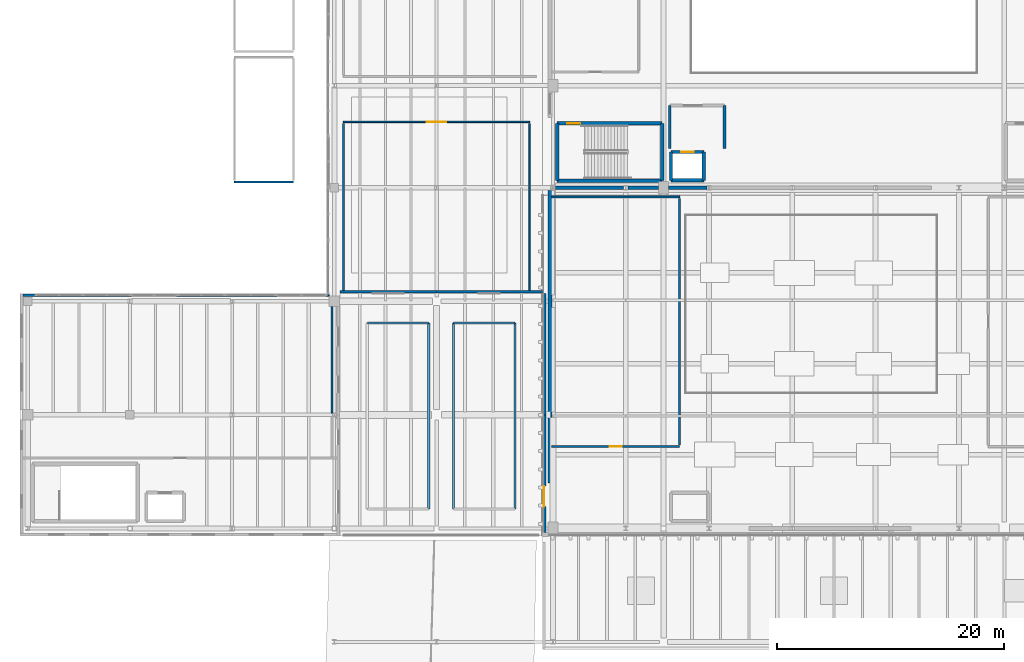
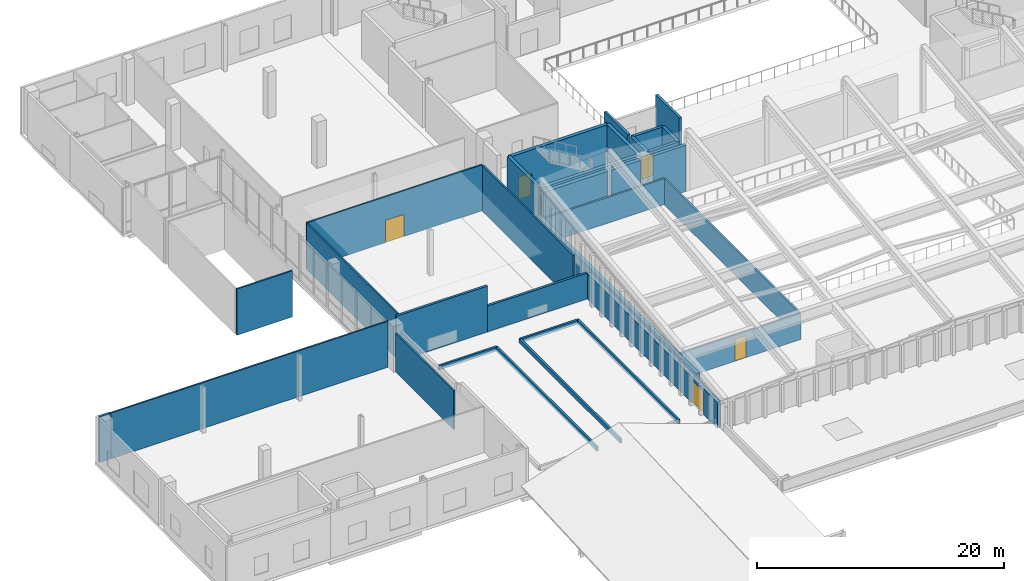
# One storey, part 19 of 30: 33 walls, 5 doors, 5 openings.
"""IFC4 building model written with IfcOpenShell, lengths in metres."""

from ifc_helpers import new_model, si_unit, direction, frame, frame_2d, origin, place, context, subcontext, project, spatial, rectangle, extrude, material, layer, layer_set, type_object, element, fill, save


model = new_model("IFC4")

# Units and contexts
model_context = context("Model", 3, precision=1e-05, world=origin(), true_north=direction((0.0, 1.0)))
body_context = subcontext(model_context, "Body", "Model", "MODEL_VIEW")
ifc_project = project(units=[si_unit("LENGTHUNIT", "METRE"), si_unit("AREAUNIT", "SQUARE_METRE"), si_unit("VOLUMEUNIT", "CUBIC_METRE"), si_unit("PLANEANGLEUNIT", "RADIAN"), si_unit("MASSUNIT", "GRAM", prefix="KILO")], contexts=[model_context])

# Site, building, storey
site_placement = place(None, origin())
site = spatial("IfcSite", under=ifc_project, at=site_placement, CompositionType="ELEMENT")
building_placement = place(site_placement, origin())
building = spatial("IfcBuilding", under=site, at=building_placement, Name="Trimount Lyric Opera House", CompositionType="ELEMENT")
storey_placement = place(building_placement, frame((0.0, 0.0, 24.800048828125)))
storey = spatial("IfcBuildingStorey", under=building, at=storey_placement, Name="L05", CompositionType="ELEMENT", Elevation=24.800048828125)

# Walls
ifc_material_1 = material(Name="Precast concrete C40/50", Category="concrete")
ifc_layer_1 = layer(ifc_material_1, 0.18994140625)
ifc_layer_set_1 = layer_set([ifc_layer_1], Name="WL-PA190")
wall_type_1 = type_object("IfcWallType", Name="WL-PA190", PredefinedType="PARAPET", material=ifc_layer_set_1)
wall_1_placement = place(storey_placement, frame((53.31005859375, 72.080078125, 0.0), z_axis=(0.0, 0.0, 1.0), x_axis=(-1.0, 0.0, 0.0)))
element("IfcWall", 1, at=wall_1_placement, inside=storey, type_object=wall_type_1, Name="West Rehearsal Roof Garden stone planter kerb 1N", PredefinedType="PARAPET", context=body_context, shape_type="SweptSolid", body=[
    extrude(rectangle(XDim=5.41015625, YDim=0.18994140625, at=frame_2d((2.705078125, 0.0))), origin(), (0.0, 0.0, 1.0), 0.419921875),
])
wall_2_placement = place(storey_placement, frame((53.31005859375, 55.719970703125, 0.0), z_axis=(0.0, 0.0, 1.0), x_axis=(0.0, 1.0, 0.0)))
element("IfcWall", 2, at=wall_2_placement, inside=storey, type_object=wall_type_1, Name="West Rehearsal Roof Garden stone planter kerb 1E", PredefinedType="PARAPET", context=body_context, shape_type="SweptSolid", body=[
    extrude(rectangle(XDim=16.360107421875, YDim=0.18994140625, at=frame_2d((8.18017578125, 0.0))), origin(), (0.0, 0.0, 1.0), 0.419921875),
])
wall_3_placement = place(storey_placement, frame((60.919921875, 72.080078125, 0.0), z_axis=(0.0, 0.0, 1.0), x_axis=(-1.0, 0.0, 0.0)))
element("IfcWall", 3, at=wall_3_placement, inside=storey, type_object=wall_type_1, Name="West Rehearsal Roof Garden stone planter kerb 2N", PredefinedType="PARAPET", context=body_context, shape_type="SweptSolid", body=[
    extrude(rectangle(XDim=5.409912109375, YDim=0.18994140625, at=frame_2d((2.705078125, 0.0))), origin(), (0.0, 0.0, 1.0), 0.419921875),
])
for number, where, z_axis, x_axis, name in (
    (4, (55.510009765625, 72.080078125, 0.0), (0.0, 0.0, 1.0), (0.0, -1.0, 0.0), "West Rehearsal Roof Garden stone planter kerb 2W"),
    (5, (60.919921875, 55.719970703125, 0.0), (0.0, 0.0, 1.0), (0.0, 1.0, 0.0), "West Rehearsal Roof Garden stone planter kerb 2E"),
):
    element("IfcWall", number, at=place(storey_placement, frame(where, z_axis=z_axis, x_axis=x_axis)), inside=storey, type_object=wall_type_1, Name=name, PredefinedType="PARAPET", context=body_context, shape_type="SweptSolid", body=[
        extrude(rectangle(XDim=16.360107421875, YDim=0.18994140625, at=frame_2d((8.18017578125, 0.0))), origin(), (0.0, 0.0, 1.0), 0.419921875),
    ])

# Wall, opening, door
ifc_material_2 = material(Name="Fire-Rated Gypsum Board Partition")
ifc_layer_2 = layer(ifc_material_2, 0.14990234375)
ifc_layer_set_2 = layer_set([ifc_layer_2], Name="WL-PT150")
wall_type_2 = type_object("IfcWallType", Name="WL-PT150", PredefinedType="PARTITIONING", material=ifc_layer_set_2)
wall_4_placement = place(storey_placement, frame((62.199951171875, 89.800048828125, 0.0), z_axis=(0.0, 0.0, 1.0), x_axis=(-1.0, 0.0, 0.0)))
wall_4 = element("IfcWall", 6, at=wall_4_placement, inside=storey, type_object=wall_type_2, Name="L05 Performer Canteen & Green Room N partition", PredefinedType="PARTITIONING", context=body_context, shape_type="SweptSolid", body=[
    extrude(rectangle(XDim=16.39990234375, YDim=0.14990234375, at=frame_2d((8.199951171875, 0.0))), origin(), (0.0, 0.0, 1.0), 4.530029296875),
])
opening_1_placement = place(wall_4_placement, frame((7.324951171875, 0.0, 0.0)))
opening_1 = element("IfcOpeningElement", 7, at=opening_1_placement, cuts=wall_4, Name="Opening DT-COR1", PredefinedType="OPENING", context=body_context, shape_type="SweptSolid", body=[
    extrude(rectangle(XDim=1.75, YDim=2.199951171875, at=frame_2d((0.875, 1.10009765625))), frame((0.0, 0.0849609375, 0.0), z_axis=(0.0, -1.0, 0.0), x_axis=(1.0, 0.0, 0.0)), (0.0, 0.0, 1.0), 0.169921875),
])
ifc_material_3 = material(Name="Fire-Rated Timber Veneer", Category="wood")
door_type_1 = type_object("IfcDoorType", Name="DT-COR1", OperationType="DOUBLE_DOOR_SINGLE_SWING", PredefinedType="DOOR", material=ifc_material_3)
door_1_placement = place(opening_1_placement, origin())
door_1 = element("IfcDoor", 8, at=door_1_placement, inside=storey, type_object=door_type_1, Name="D-242", OperationType="DOUBLE_DOOR_SINGLE_SWING", OverallHeight=2.199951171875, OverallWidth=1.75, PredefinedType="DOOR", context=body_context, shape_type="SweptSolid", body=[
    extrude(rectangle(XDim=1.75, YDim=2.199951171875, at=frame_2d((0.875, 1.10009765625))), frame((0.0, 0.02490234375, 0.0), z_axis=(0.0, -1.0, 0.0), x_axis=(1.0, 0.0, 0.0)), (0.0, 0.0, 1.0), 0.050048828125),
])
fill(opening_1, door_1)

# Walls
for number, where, z_axis, x_axis, name in (
    (9, (45.800048828125, 89.64990234375, 0.0), (0.0, 0.0, 1.0), (0.0, -1.0, 0.0), "L05 Performer Canteen & Green Room W partition"),
    (10, (62.199951171875, 74.9599609375, 0.0), (0.0, 0.0, 1.0), (0.0, 1.0, 0.0), "L05 Performer Canteen & Green Room E partition"),
):
    element("IfcWall", number, at=place(storey_placement, frame(where, z_axis=z_axis, x_axis=x_axis)), inside=storey, type_object=wall_type_2, Name=name, PredefinedType="PARTITIONING", context=body_context, shape_type="SweptSolid", body=[
        extrude(rectangle(XDim=14.68994140625, YDim=0.14990234375, at=frame_2d((7.344970703125, 0.0))), origin(), (0.0, 0.0, 1.0), 4.530029296875),
    ])
wall_5_placement = place(storey_placement, frame((44.550048828125, 74.5, 0.0), z_axis=(0.0, 0.0, 1.0), x_axis=(-1.0, 0.0, 0.0)))
element("IfcWall", 11, at=wall_5_placement, inside=storey, type_object=wall_type_2, Name="L05 Principal Wardrobe Fitting Loft N partition", PredefinedType="PARTITIONING", context=body_context, shape_type="SweptSolid", body=[
    extrude(rectangle(XDim=25.8701171875, YDim=0.14990234375, at=frame_2d((12.93505859375, 0.0))), origin(), (0.0, 0.0, 1.0), 4.530029296875),
])
wall_6_placement = place(storey_placement, frame((44.800048828125, 64.153564453125, 0.0), z_axis=(0.0, 0.0, 1.0), x_axis=(0.0, 1.0, 0.0)))
element("IfcWall", 12, at=wall_6_placement, inside=storey, type_object=wall_type_2, Name="L05 Principal Wardrobe Fitting Loft E partition", PredefinedType="PARTITIONING", context=body_context, shape_type="SweptSolid", body=[
    extrude(rectangle(XDim=9.396484375, YDim=0.14990234375, at=frame_2d((4.6982421875, 0.0))), origin(), (0.0, 0.0, 1.0), 3.820068359375),
])
wall_7_placement = place(storey_placement, frame((36.199951171875, 84.5, 0.0), z_axis=(0.0, 0.0, 1.0), x_axis=(1.0, 0.0, 0.0)))
element("IfcWall", 13, at=wall_7_placement, inside=storey, type_object=wall_type_2, Name="L05 West Wing Artists' Pantry S partition", PredefinedType="PARTITIONING", context=body_context, shape_type="SweptSolid", body=[
    extrude(rectangle(XDim=5.199951171875, YDim=0.14990234375, at=frame_2d((2.60009765625, 0.0))), origin(), (0.0, 0.0, 1.0), 4.56005859375),
])

# Wall, opening, door
ifc_material_4 = material(Name="Acoustic Double-Stud Gypsum Board")
ifc_layer_3 = layer(ifc_material_4, 0.1650390625)
ifc_layer_set_3 = layer_set([ifc_layer_3], Name="WL-PT165")
wall_type_3 = type_object("IfcWallType", Name="WL-PT165", PredefinedType="PARTITIONING", material=ifc_layer_set_3)
wall_8_placement = place(storey_placement, frame((64.139892578125, 61.199951171875, 0.0), z_axis=(0.0, 0.0, 1.0), x_axis=(1.0, 0.0, 0.0)))
wall_8 = element("IfcWall", 14, at=wall_8_placement, inside=storey, type_object=wall_type_3, Name="L05 Follow-Spot & Lighting Bridge S partition", PredefinedType="PARTITIONING", context=body_context, shape_type="SweptSolid", body=[
    extrude(rectangle(XDim=11.260009765625, YDim=0.1650390625, at=frame_2d((5.6298828125, 0.0))), origin(), (0.0, 0.0, 1.0), 2.550048828125),
])
opening_2_placement = place(wall_8_placement, frame((5.10498046875, 0.0, 0.0)))
opening_2 = element("IfcOpeningElement", 15, at=opening_2_placement, cuts=wall_8, Name="Opening DT-RM3", PredefinedType="OPENING", context=body_context, shape_type="SweptSolid", body=[
    extrude(rectangle(XDim=1.050048828125, YDim=2.199951171875, at=frame_2d((0.52490234375, 1.10009765625))), frame((0.0, 0.092529296875, 0.0), z_axis=(0.0, -1.0, 0.0), x_axis=(1.0, 0.0, 0.0)), (0.0, 0.0, 1.0), 0.18505859375),
])
ifc_material_5 = material(Name="Solid Core White Oak")
door_type_2 = type_object("IfcDoorType", Name="DT-RM3", OperationType="NOTDEFINED", PredefinedType="DOOR", material=ifc_material_5)
door_2_placement = place(opening_2_placement, origin())
door_2 = element("IfcDoor", 16, at=door_2_placement, inside=storey, type_object=door_type_2, Name="D-244", OperationType="SINGLE_SWING_RIGHT", OverallHeight=2.199951171875, OverallWidth=1.050048828125, PredefinedType="DOOR", context=body_context, shape_type="SweptSolid", body=[
    extrude(rectangle(XDim=1.050048828125, YDim=2.199951171875, at=frame_2d((0.52490234375, 1.10009765625))), frame((0.0, 0.02490234375, 0.0), z_axis=(0.0, -1.0, 0.0), x_axis=(1.0, 0.0, 0.0)), (0.0, 0.0, 1.0), 0.050048828125),
])
fill(opening_2, door_2)

# Walls
wall_9_placement = place(storey_placement, frame((75.39990234375, 83.199951171875, 0.0), z_axis=(0.0, 0.0, 1.0), x_axis=(-1.0, 0.0, 0.0)))
element("IfcWall", 17, at=wall_9_placement, inside=storey, type_object=wall_type_3, Name="L05 Follow-Spot & Lighting Bridge N partition", PredefinedType="PARTITIONING", context=body_context, shape_type="SweptSolid", body=[
    extrude(rectangle(XDim=11.260009765625, YDim=0.1650390625, at=frame_2d((5.6298828125, 0.0))), origin(), (0.0, 0.0, 1.0), 2.550048828125),
])
wall_10_placement = place(storey_placement, frame((75.39990234375, 61.364990234375, 0.0), z_axis=(0.0, 0.0, 1.0), x_axis=(0.0, 1.0, 0.0)))
element("IfcWall", 18, at=wall_10_placement, inside=storey, type_object=wall_type_3, Name="L05 Follow-Spot & Lighting Bridge E partition", PredefinedType="PARTITIONING", context=body_context, shape_type="SweptSolid", body=[
    extrude(rectangle(XDim=21.669921875, YDim=0.1650390625, at=frame_2d((10.8349609375, 0.0))), origin(), (0.0, 0.0, 1.0), 2.58984375),
])
ifc_material_6 = material(Name="Concrete C40/50", Category="concrete")
ifc_layer_4 = layer(ifc_material_6, 0.280029296875)
ifc_layer_set_4 = layer_set([ifc_layer_4], Name="WL-SH280")
wall_type_4 = type_object("IfcWallType", Name="WL-SH280", PredefinedType="SHEAR", material=ifc_layer_set_4)
wall_11_placement = place(storey_placement, frame((74.659912109375, 84.659912109375, 0.0), z_axis=(0.0, 0.0, 1.0), x_axis=(1.0, 0.0, 0.0)))
element("IfcWall", 19, at=wall_11_placement, inside=storey, type_object=wall_type_4, Name="Lift LF-01 L05 south shaft wall", PredefinedType="SHEAR", context=body_context, shape_type="SweptSolid", body=[
    extrude(rectangle(XDim=2.880126953125, YDim=0.280029296875, at=frame_2d((1.43994140625, 0.0))), origin(), (0.0, 0.0, 1.0), 4.56005859375),
])

# Wall, opening, door
wall_12_placement = place(storey_placement, frame((77.5400390625, 87.139892578125, 0.0), z_axis=(0.0, 0.0, 1.0), x_axis=(-1.0, 0.0, 0.0)))
wall_12 = element("IfcWall", 20, at=wall_12_placement, inside=storey, type_object=wall_type_4, Name="Lift LF-01 L05 north shaft wall", PredefinedType="SHEAR", context=body_context, shape_type="SweptSolid", body=[
    extrude(rectangle(XDim=2.880126953125, YDim=0.280029296875, at=frame_2d((1.43994140625, 0.0))), origin(), (0.0, 0.0, 1.0), 4.56005859375),
])
opening_3_placement = place(wall_12_placement, frame((0.889892578125, 0.0, 0.0)))
opening_3 = element("IfcOpeningElement", 21, at=opening_3_placement, cuts=wall_12, Name="Opening DT-LD1", PredefinedType="OPENING", context=body_context, shape_type="SweptSolid", body=[
    extrude(rectangle(XDim=1.10009765625, YDim=2.199951171875, at=frame_2d((0.550048828125, 1.10009765625))), frame((0.0, 0.14990234375, 0.0), z_axis=(0.0, -1.0, 0.0), x_axis=(1.0, 0.0, 0.0)), (0.0, 0.0, 1.0), 0.300048828125),
])
ifc_material_7 = material(Name="Brushed Stainless Steel", Category="steel")
door_type_3 = type_object("IfcDoorType", Name="DT-LD1", OperationType="SLIDING_TO_LEFT", PredefinedType="DOOR", material=ifc_material_7)
door_3_placement = place(opening_3_placement, origin())
door_3 = element("IfcDoor", 22, at=door_3_placement, inside=storey, type_object=door_type_3, Name="D-069", OperationType="SLIDING_TO_LEFT", OverallHeight=2.199951171875, OverallWidth=1.10009765625, PredefinedType="DOOR", context=body_context, shape_type="SweptSolid", body=[
    extrude(rectangle(XDim=1.10009765625, YDim=2.199951171875, at=frame_2d((0.550048828125, 1.10009765625))), frame((0.0, 0.02490234375, 0.0), z_axis=(0.0, -1.0, 0.0), x_axis=(1.0, 0.0, 0.0)), (0.0, 0.0, 1.0), 0.050048828125),
])
fill(opening_3, door_3)

# Walls
for number, where, z_axis, x_axis, name in (
    (23, (74.659912109375, 87.139892578125, 0.0), (0.0, 0.0, 1.0), (0.0, -1.0, 0.0), "Lift LF-01 L05 west shaft wall"),
    (24, (77.5400390625, 84.659912109375, 0.0), (0.0, 0.0, 1.0), (0.0, 1.0, 0.0), "Lift LF-01 L05 east shaft wall"),
):
    element("IfcWall", number, at=place(storey_placement, frame(where, z_axis=z_axis, x_axis=x_axis)), inside=storey, type_object=wall_type_4, Name=name, PredefinedType="SHEAR", context=body_context, shape_type="SweptSolid", body=[
        extrude(rectangle(XDim=2.47998046875, YDim=0.280029296875, at=frame_2d((1.239990234375, 0.0))), origin(), (0.0, 0.0, 1.0), 4.56005859375),
    ])
ifc_material_8 = material(Name="Concrete C40/50", Category="concrete")
ifc_layer_5 = layer(ifc_material_8, 0.300048828125)
ifc_layer_set_5 = layer_set([ifc_layer_5], Name="WL-SH300")
wall_type_5 = type_object("IfcWallType", Name="WL-SH300", PredefinedType="SHEAR", material=ifc_layer_set_5)
wall_13_placement = place(storey_placement, frame((74.449951171875, 84.0, 0.0), z_axis=(0.0, 0.0, 1.0), x_axis=(1.0, 0.0, 0.0)))
element("IfcWall", 25, at=wall_13_placement, inside=storey, type_object=wall_type_5, Name="L05 proscenium upper fly-tower wall", PredefinedType="SHEAR", context=body_context, shape_type="SweptSolid", body=[
    extrude(rectangle(XDim=3.3603515625, YDim=0.300048828125, at=frame_2d((1.68017578125, 0.0))), origin(), (0.0, 0.0, 1.0), 4.56005859375),
])
ifc_material_9 = material(Name="Concrete C40/50", Category="concrete")
ifc_layer_6 = layer(ifc_material_9, 0.320068359375)
ifc_layer_set_6 = layer_set([ifc_layer_6], Name="WL-SH320")
wall_type_6 = type_object("IfcWallType", Name="WL-SH320", PredefinedType="SHEAR", material=ifc_layer_set_6)
wall_14_placement = place(storey_placement, frame((64.625, 84.625, 0.0), z_axis=(0.0, 0.0, 1.0), x_axis=(1.0, 0.0, 0.0)))
element("IfcWall", 26, at=wall_14_placement, inside=storey, type_object=wall_type_6, Name="K3 L05 south shaft wall", PredefinedType="SHEAR", context=body_context, shape_type="SweptSolid", body=[
    extrude(rectangle(XDim=9.25, YDim=0.320068359375, at=frame_2d((4.625, 0.0))), origin(), (0.0, 0.0, 1.0), 4.56005859375),
])

# Wall, opening, door
wall_15_placement = place(storey_placement, frame((73.875, 89.675048828125, 0.0), z_axis=(0.0, 0.0, 1.0), x_axis=(-1.0, 0.0, 0.0)))
wall_15 = element("IfcWall", 27, at=wall_15_placement, inside=storey, type_object=wall_type_6, Name="K3 L05 north shaft wall", PredefinedType="SHEAR", context=body_context, shape_type="SweptSolid", body=[
    extrude(rectangle(XDim=9.25, YDim=0.320068359375, at=frame_2d((4.625, 0.0))), origin(), (0.0, 0.0, 1.0), 4.56005859375),
])
opening_4_placement = place(wall_15_placement, frame((7.199951171875, 0.0, 0.0)))
opening_4 = element("IfcOpeningElement", 28, at=opening_4_placement, cuts=wall_15, Name="Opening DT-ST1", PredefinedType="OPENING", context=body_context, shape_type="SweptSolid", body=[
    extrude(rectangle(XDim=1.14990234375, YDim=2.199951171875, at=frame_2d((0.574951171875, 1.10009765625))), frame((0.0, 0.169921875, 0.0), z_axis=(0.0, -1.0, 0.0), x_axis=(1.0, 0.0, 0.0)), (0.0, 0.0, 1.0), 0.340087890625),
])
ifc_material_10 = material(Name="Fire-Rated Hollow Steel", Category="steel")
door_type_4 = type_object("IfcDoorType", Name="DT-ST1", OperationType="NOTDEFINED", PredefinedType="DOOR", material=ifc_material_10)
door_4_placement = place(opening_4_placement, origin())
door_4 = element("IfcDoor", 29, at=door_4_placement, inside=storey, type_object=door_type_4, Name="D-029", OperationType="SINGLE_SWING_LEFT", OverallHeight=2.199951171875, OverallWidth=1.14990234375, PredefinedType="DOOR", context=body_context, shape_type="SweptSolid", body=[
    extrude(rectangle(XDim=1.14990234375, YDim=2.199951171875, at=frame_2d((0.574951171875, 1.10009765625))), frame((0.0, 0.02490234375, 0.0), z_axis=(0.0, -1.0, 0.0), x_axis=(1.0, 0.0, 0.0)), (0.0, 0.0, 1.0), 0.050048828125),
])
fill(opening_4, door_4)

# Walls
for number, where, z_axis, x_axis, name in (
    (30, (64.625, 89.675048828125, 0.0), (0.0, 0.0, 1.0), (0.0, -1.0, 0.0), "K3 L05 west shaft wall"),
    (31, (73.875, 84.625, 0.0), (0.0, 0.0, 1.0), (0.0, 1.0, 0.0), "K3 L05 east shaft wall"),
):
    element("IfcWall", number, at=place(storey_placement, frame(where, z_axis=z_axis, x_axis=x_axis)), inside=storey, type_object=wall_type_6, Name=name, PredefinedType="SHEAR", context=body_context, shape_type="SweptSolid", body=[
        extrude(rectangle(XDim=5.050048828125, YDim=0.320068359375, at=frame_2d((2.52490234375, 0.0))), origin(), (0.0, 0.0, 1.0), 4.56005859375),
    ])
ifc_material_11 = material(Name="Concrete C40/50", Category="concrete")
ifc_layer_7 = layer(ifc_material_11, 0.35009765625)
ifc_layer_set_7 = layer_set([ifc_layer_7], Name="WL-SH350")
wall_type_7 = type_object("IfcWallType", Name="WL-SH350", PredefinedType="SHEAR", material=ifc_layer_set_7)
wall_16_placement = place(storey_placement, frame((64.0, 58.0, 0.0), z_axis=(0.0, 0.0, 1.0), x_axis=(0.0, 1.0, 0.0)))
element("IfcWall", 32, at=wall_16_placement, inside=storey, type_object=wall_type_7, Name="L05 auditorium west acoustic shear wall", PredefinedType="SHEAR", context=body_context, shape_type="SweptSolid", body=[
    extrude(rectangle(XDim=25.767578125, YDim=0.35009765625, at=frame_2d((12.8837890625, 0.0))), origin(), (0.0, 0.0, 1.0), 2.550048828125),
])
wall_17_placement = place(storey_placement, frame((64.470947265625, 84.0, 0.0), z_axis=(0.0, 0.0, 1.0), x_axis=(1.0, 0.0, 0.0)))
element("IfcWall", 33, at=wall_17_placement, inside=storey, type_object=wall_type_7, Name="L05 proscenium west wing wall", PredefinedType="SHEAR", context=body_context, shape_type="SweptSolid", body=[
    extrude(rectangle(XDim=6.002197265625, YDim=0.35009765625, at=frame_2d((3.0009765625, 0.0))), origin(), (0.0, 0.0, 1.0), 4.56005859375),
])
wall_18_placement = place(storey_placement, frame((70.841064453125, 84.0, 0.0), z_axis=(0.0, 0.0, 1.0), x_axis=(1.0, 0.0, 0.0)))
element("IfcWall", 34, at=wall_18_placement, inside=storey, type_object=wall_type_7, Name="L05 proscenium west wing wall", PredefinedType="SHEAR", context=body_context, shape_type="SweptSolid", body=[
    extrude(rectangle(XDim=2.708984375, YDim=0.35009765625, at=frame_2d((1.3544921875, 0.0))), origin(), (0.0, 0.0, 1.0), 4.56005859375),
])

# Wall, opening, door
wall_19_placement = place(storey_placement, frame((63.4599609375, 53.639892578125, 0.0), z_axis=(0.0, 0.0, 1.0), x_axis=(0.0, 1.0, 0.0)))
wall_19 = element("IfcWall", 35, at=wall_19_placement, inside=storey, type_object=wall_type_7, Name="L05 exterior facade wall 326", PredefinedType="SHEAR", context=body_context, shape_type="SweptSolid", body=[
    extrude(rectangle(XDim=10.360107421875, YDim=0.35009765625, at=frame_2d((5.18017578125, 0.0))), origin(), (0.0, 0.0, 1.0), 2.550048828125),
])
opening_5_placement = place(wall_19_placement, frame((2.280029296875, 0.0, 0.0)))
opening_5 = element("IfcOpeningElement", 36, at=opening_5_placement, cuts=wall_19, Name="Opening DT-TER1", PredefinedType="OPENING", context=body_context, shape_type="SweptSolid", body=[
    extrude(rectangle(XDim=1.800048828125, YDim=2.25, at=frame_2d((0.89990234375, 1.125))), frame((0.0, 0.18505859375, 0.0), z_axis=(0.0, -1.0, 0.0), x_axis=(1.0, 0.0, 0.0)), (0.0, 0.0, 1.0), 0.3701171875),
])
ifc_material_12 = material(Name="Thermally Broken Aluminium Glazed", Category="aluminium")
door_type_5 = type_object("IfcDoorType", Name="DT-TER1", OperationType="DOUBLE_DOOR_SINGLE_SWING", PredefinedType="DOOR", material=ifc_material_12)
door_5_placement = place(opening_5_placement, origin())
door_5 = element("IfcDoor", 37, at=door_5_placement, inside=storey, type_object=door_type_5, Name="D-161", OperationType="DOUBLE_DOOR_SINGLE_SWING", OverallHeight=2.25, OverallWidth=1.800048828125, PredefinedType="DOOR", context=body_context, shape_type="SweptSolid", body=[
    extrude(rectangle(XDim=1.800048828125, YDim=2.25, at=frame_2d((0.89990234375, 1.125))), frame((0.0, 0.02490234375, 0.0), z_axis=(0.0, -1.0, 0.0), x_axis=(1.0, 0.0, 0.0)), (0.0, 0.0, 1.0), 0.050048828125),
])
fill(opening_5, door_5)

# Walls
wall_20_placement = place(storey_placement, frame((63.4599609375, 64.0, 0.0), z_axis=(0.0, 0.0, 1.0), x_axis=(0.0, 1.0, 0.0)))
element("IfcWall", 38, at=wall_20_placement, inside=storey, type_object=wall_type_7, Name="L05 exterior facade wall 327", PredefinedType="SHEAR", context=body_context, shape_type="SweptSolid", body=[
    extrude(rectangle(XDim=10.679931640625, YDim=0.35009765625, at=frame_2d((5.33984375, 0.0))), origin(), (0.0, 0.0, 1.0), 2.550048828125),
])
ifc_material_13 = material(Name="Concrete C35/45", Category="concrete")
ifc_layer_8 = layer(ifc_material_13, 0.219970703125)
ifc_layer_set_8 = layer_set([ifc_layer_8], Name="WL-SW220")
wall_type_8 = type_object("IfcWallType", Name="WL-SW220", PredefinedType="SOLIDWALL", material=ifc_layer_set_8)
wall_21_placement = place(storey_placement, frame((63.320068359375, 74.820068359375, 0.0), z_axis=(0.0, 0.0, 1.0), x_axis=(-1.0, 0.0, 0.0)))
element("IfcWall", 39, at=wall_21_placement, inside=storey, type_object=wall_type_8, Name="L05 exterior facade wall 328", PredefinedType="SOLIDWALL", context=body_context, shape_type="SweptSolid", body=[
    extrude(rectangle(XDim=9.320068359375, YDim=0.219970703125, at=frame_2d((4.66015625, 0.0))), origin(), (0.0, 0.0, 1.0), 2.550048828125),
])
wall_22_placement = place(storey_placement, frame((54.0, 74.820068359375, 0.0), z_axis=(0.0, 0.0, 1.0), x_axis=(-1.0, 0.0, 0.0)))
element("IfcWall", 40, at=wall_22_placement, inside=storey, type_object=wall_type_8, Name="L05 exterior facade wall 329", PredefinedType="SOLIDWALL", context=body_context, shape_type="SweptSolid", body=[
    extrude(rectangle(XDim=8.5, YDim=0.219970703125, at=frame_2d((4.25, 0.0))), origin(), (0.0, 0.0, 1.0), 4.530029296875),
])
wall_23_placement = place(storey_placement, frame((17.574951171875, 74.5400390625, 0.0), z_axis=(0.0, 0.0, 1.0), x_axis=(1.0, 0.0, 0.0)))
element("IfcWall", 41, at=wall_23_placement, inside=storey, type_object=wall_type_8, Name="L05 exterior facade wall 337", PredefinedType="SOLIDWALL", context=body_context, shape_type="SweptSolid", body=[
    extrude(rectangle(XDim=1.10498046875, YDim=0.219970703125, at=frame_2d((0.552490234375, 0.0))), origin(), (0.0, 0.0, 1.0), 4.530029296875),
])
ifc_material_14 = material(Name="Concrete C35/45", Category="concrete")
ifc_layer_9 = layer(ifc_material_14, 0.239990234375)
ifc_layer_set_9 = layer_set([ifc_layer_9], Name="WL-SW240")
wall_type_9 = type_object("IfcWallType", Name="WL-SW240", PredefinedType="SOLIDWALL", material=ifc_layer_set_9)
for number, where, z_axis, x_axis, name in (
    (42, (74.550048828125, 91.25, 0.0), (0.0, 0.0, 1.0), (0.0, -1.0, 0.0), "L05 firefighting lobby LF-01 west wall"),
    (43, (79.35009765625, 87.449951171875, 0.0), (0.0, 0.0, 1.0), (0.0, 1.0, 0.0), "L05 firefighting lobby LF-01 east wall"),
):
    element("IfcWall", number, at=place(storey_placement, frame(where, z_axis=z_axis, x_axis=x_axis)), inside=storey, type_object=wall_type_9, Name=name, PredefinedType="SOLIDWALL", context=body_context, shape_type="SweptSolid", body=[
        extrude(rectangle(XDim=3.800048828125, YDim=0.239990234375, at=frame_2d((1.89990234375, 0.0))), origin(), (0.0, 0.0, 1.0), 4.56005859375),
    ])

save(model, "model.ifc")
